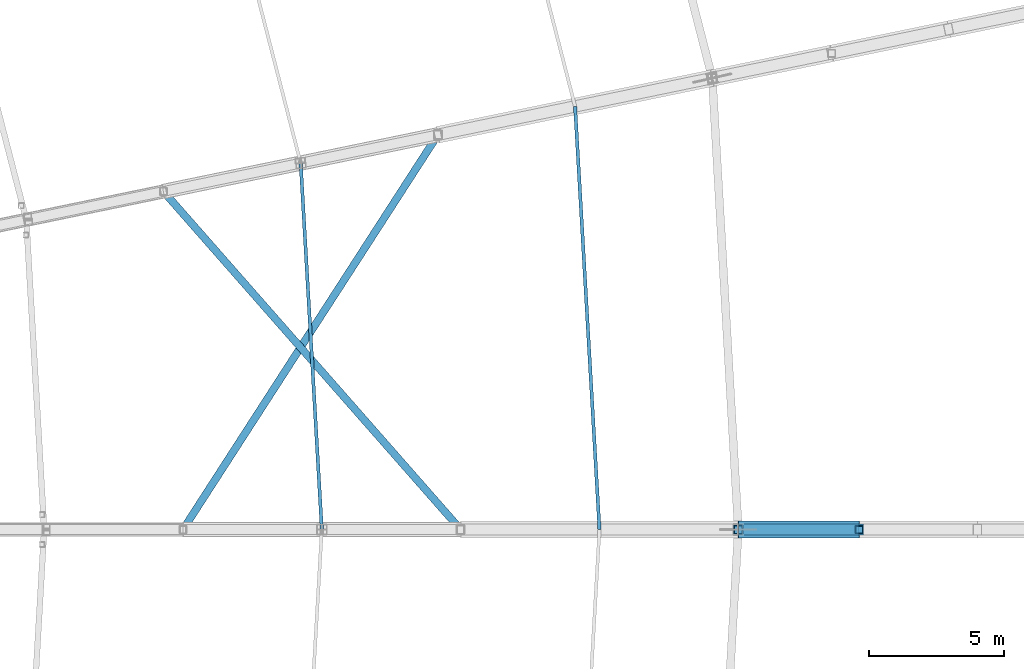
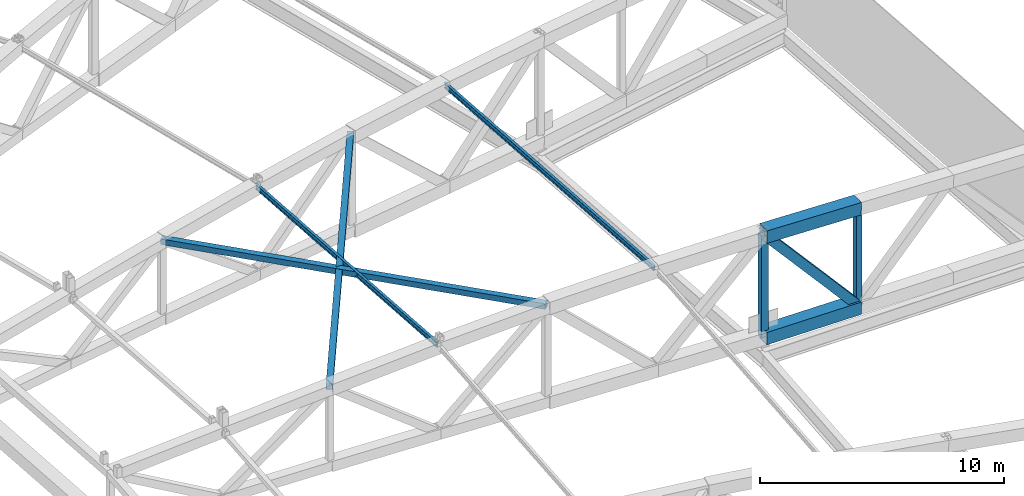
# One storey, part 58 of 162: 9 members.
"""IFC4 building model written with IfcOpenShell, lengths in metres."""

from ifc_helpers import new_model, si_unit, direction, frame, origin, origin_2d, place, context, subcontext, project, spatial, hollow_rectangle, i_section, extrude, material, material_profile, profile_set, type_object, element, save


model = new_model("IFC4")

# Units and contexts
model_context = context("Model", 3, precision=1e-05, world=origin(), true_north=direction((0.0, 1.0)))
body_context = subcontext(model_context, "Body", "Model", "MODEL_VIEW")
ifc_project = project(units=[si_unit("LENGTHUNIT", "METRE"), si_unit("AREAUNIT", "SQUARE_METRE"), si_unit("VOLUMEUNIT", "CUBIC_METRE"), si_unit("PLANEANGLEUNIT", "RADIAN"), si_unit("MASSUNIT", "GRAM", prefix="KILO")], contexts=[model_context])

# Site, building, storey
site_placement = place(None, origin())
site = spatial("IfcSite", under=ifc_project, at=site_placement, CompositionType="ELEMENT")
building_placement = place(site_placement, origin())
building = spatial("IfcBuilding", under=site, at=building_placement, Name="Kazemori Nagisa Stadium", CompositionType="ELEMENT")
storey_placement = place(building_placement, frame((0.0, 0.0, 36.719970703125)))
storey = spatial("IfcBuildingStorey", under=building, at=storey_placement, Name="RF", CompositionType="ELEMENT", Elevation=36.719970703125)

# Members
ifc_material_1 = material(Name="Steel STKR490", Category="steel")
ifc_material_profile_1 = material_profile(ifc_material_1, hollow_rectangle(XDim=0.280029296875, YDim=0.280029296875, WallThickness=0.010009765625, at=origin_2d()), Name="SHS-280x280x10")
ifc_profile_set_1 = profile_set([ifc_material_profile_1], Name="Steel STKR490")
member_type_1 = type_object("IfcMemberType", Name="Member_TB-SHS280", PredefinedType="BRACE", material=ifc_profile_set_1)
member_1_placement = place(storey_placement, frame((194.43994140625, 102.0, 5.580078125), z_axis=(-0.659930234389, 0.750768397919, -0.028963743306), x_axis=(-0.751083505404, -0.660207215888, 0.0)))
element("IfcMember", 1, at=member_1_placement, inside=storey, type_object=member_type_1, Name="Roof space truss plan brace B01-1", PredefinedType="BRACE", context=body_context, shape_type="SweptSolid", body=[
    extrude(hollow_rectangle(XDim=0.280029296875, YDim=0.280029296875, WallThickness=0.010009765625, at=origin_2d()), origin(), (0.0, 0.0, 1.0), 16.63916015625),
])
member_2_placement = place(storey_placement, frame((193.598388671875, 116.587158203125, 5.593994140625), z_axis=(-0.54218981174, -0.839735057848, -0.029584466632), x_axis=(0.840102784388, -0.542427240893, 0.0)))
element("IfcMember", 2, at=member_2_placement, inside=storey, type_object=member_type_1, Name="Roof space truss plan brace B01-2", PredefinedType="BRACE", context=body_context, shape_type="SweptSolid", body=[
    extrude(hollow_rectangle(XDim=0.280029296875, YDim=0.280029296875, WallThickness=0.010009765625, at=origin_2d()), origin(), (0.0, 0.0, 1.0), 17.37109375),
])
ifc_material_profile_2 = material_profile(ifc_material_1, hollow_rectangle(XDim=0.419921875, YDim=0.419921875, WallThickness=0.01611328125, at=origin_2d()), Name="SHS-420x420x16")
ifc_profile_set_2 = profile_set([ifc_material_profile_2], Name="Steel STKR490")
member_type_2 = type_object("IfcMemberType", Name="Member_TB-SHS420", PredefinedType="BRACE", material=ifc_profile_set_2)
member_3_placement = place(storey_placement, frame((209.1650390625, 102.0, 0.43994140625), z_axis=(-0.657251944198, 0.0, 0.753670937378), x_axis=(0.0, -1.0, 0.0)))
element("IfcMember", 3, at=member_3_placement, inside=storey, type_object=member_type_2, Name="Roof space truss diagonal RT-01-3", PredefinedType="BRACE", context=body_context, shape_type="SweptSolid", body=[
    extrude(hollow_rectangle(XDim=0.419921875, YDim=0.419921875, WallThickness=0.01611328125, at=origin_2d()), origin(), (0.0, 0.0, 1.0), 6.79345703125),
])
ifc_material_profile_3 = material_profile(ifc_material_1, hollow_rectangle(XDim=0.6201171875, YDim=0.6201171875, WallThickness=0.02197265625, at=origin_2d()), Name="SHS-620x620x22")
ifc_profile_set_3 = profile_set([ifc_material_profile_3], Name="Steel STKR490")
member_type_3 = type_object("IfcMemberType", Name="Member_TC-SHS620", PredefinedType="CHORD", material=ifc_profile_set_3)
member_4_placement = place(storey_placement, frame((209.1650390625, 102.0, 5.419921875), z_axis=(-0.999507854891, 0.0, 0.031369539543), x_axis=(0.0, -1.0, 0.0)))
element("IfcMember", 4, at=member_4_placement, inside=storey, type_object=member_type_3, Name="Roof space truss top chord RT-01-3", PredefinedType="CHORD", context=body_context, shape_type="SweptSolid", body=[
    extrude(hollow_rectangle(XDim=0.6201171875, YDim=0.6201171875, WallThickness=0.02197265625, at=origin_2d()), origin(), (0.0, 0.0, 1.0), 4.46728515625),
])
member_5_placement = place(storey_placement, frame((209.1650390625, 102.0, 0.43994140625), z_axis=(-0.999959797636, 0.0, 0.008966778217), x_axis=(0.0, -1.0, 0.0)))
element("IfcMember", 5, at=member_5_placement, inside=storey, type_object=member_type_3, Name="Roof space truss bottom chord RT-01-3", PredefinedType="CHORD", context=body_context, shape_type="SweptSolid", body=[
    extrude(hollow_rectangle(XDim=0.6201171875, YDim=0.6201171875, WallThickness=0.02197265625, at=origin_2d()), origin(), (0.0, 0.0, 1.0), 4.46533203125),
])
ifc_material_2 = material(Name="Steel SN490B", Category="steel")
ifc_material_profile_4 = material_profile(ifc_material_2, i_section(OverallWidth=0.125, OverallDepth=0.25, WebThickness=0.006103515625, FlangeThickness=0.009033203125, FilletRadius=0.008056640625, at=origin_2d()), Name="H-250x125x6x9")
ifc_profile_set_4 = profile_set([ifc_material_profile_4], Name="Steel SN490B")
member_type_4 = type_object("IfcMemberType", Name="Member_TP-H250", PredefinedType="PURLIN", material=ifc_profile_set_4)
member_6_placement = place(storey_placement, frame((199.570068359375, 102.0, 5.630126953125), z_axis=(-0.057603400433, 0.998339420934, 0.000498865714), x_axis=(-0.998339545161, -0.057603407601, 0.0)))
element("IfcMember", 6, at=member_6_placement, inside=storey, type_object=member_type_4, Name="Roof purlin TP-H250 B01-P4", PredefinedType="PURLIN", context=body_context, shape_type="SweptSolid", body=[
    extrude(i_section(OverallWidth=0.125, OverallDepth=0.25, WebThickness=0.006103515625, FlangeThickness=0.009033203125, FilletRadius=0.008056640625, at=origin_2d()), origin(), (0.0, 0.0, 1.0), 15.66064453125),
])
member_7_placement = place(storey_placement, frame((189.31005859375, 102.0, 5.380126953125), z_axis=(-0.057605456355, 0.998338562049, 0.001314124473), x_axis=(-0.998339424078, -0.057605506096, 0.0)))
element("IfcMember", 7, at=member_7_placement, inside=storey, type_object=member_type_4, Name="Roof purlin TP-H250 B01-P6", PredefinedType="PURLIN", context=body_context, shape_type="SweptSolid", body=[
    extrude(i_section(OverallWidth=0.125, OverallDepth=0.25, WebThickness=0.006103515625, FlangeThickness=0.009033203125, FilletRadius=0.008056640625, at=origin_2d()), origin(), (0.0, 0.0, 1.0), 13.56201171875),
])
ifc_material_profile_5 = material_profile(ifc_material_1, hollow_rectangle(XDim=0.280029296875, YDim=0.280029296875, WallThickness=0.010009765625, at=origin_2d()), Name="SHS-280x280x10")
ifc_profile_set_5 = profile_set([ifc_material_profile_5], Name="Steel STKR490")
member_type_5 = type_object("IfcMemberType", Name="Member_TS-SHS280", PredefinedType="STRUT", material=ifc_profile_set_5)
member_8_placement = place(storey_placement, frame((209.1650390625, 102.0, 0.43994140625), z_axis=(0.0, 0.0, 1.0), x_axis=(1.0, 0.0, 0.0)))
element("IfcMember", 8, at=member_8_placement, inside=storey, type_object=member_type_5, Name="Roof space truss strut RT-01-3", PredefinedType="STRUT", context=body_context, shape_type="SweptSolid", body=[
    extrude(hollow_rectangle(XDim=0.280029296875, YDim=0.280029296875, WallThickness=0.010009765625, at=origin_2d()), origin(), (0.0, 0.0, 1.0), 4.97998046875),
])
ifc_material_profile_6 = material_profile(ifc_material_1, hollow_rectangle(XDim=0.320068359375, YDim=0.320068359375, WallThickness=0.011962890625, at=origin_2d()), Name="SHS-320x320x12")
ifc_profile_set_6 = profile_set([ifc_material_profile_6], Name="Steel STKR490")
member_type_6 = type_object("IfcMemberType", Name="Member_TS-SHS320", PredefinedType="STRUT", material=ifc_profile_set_6)
member_9_placement = place(storey_placement, frame((204.699951171875, 102.0, 0.47998046875), z_axis=(0.0, 0.0, 1.0), x_axis=(1.0, 0.0, 0.0)))
element("IfcMember", 9, at=member_9_placement, inside=storey, type_object=member_type_6, Name="Roof space truss strut RT-01-4", PredefinedType="STRUT", context=body_context, shape_type="SweptSolid", body=[
    extrude(hollow_rectangle(XDim=0.320068359375, YDim=0.320068359375, WallThickness=0.011962890625, at=origin_2d()), origin(), (0.0, 0.0, 1.0), 5.080078125),
])

save(model, "model.ifc")
